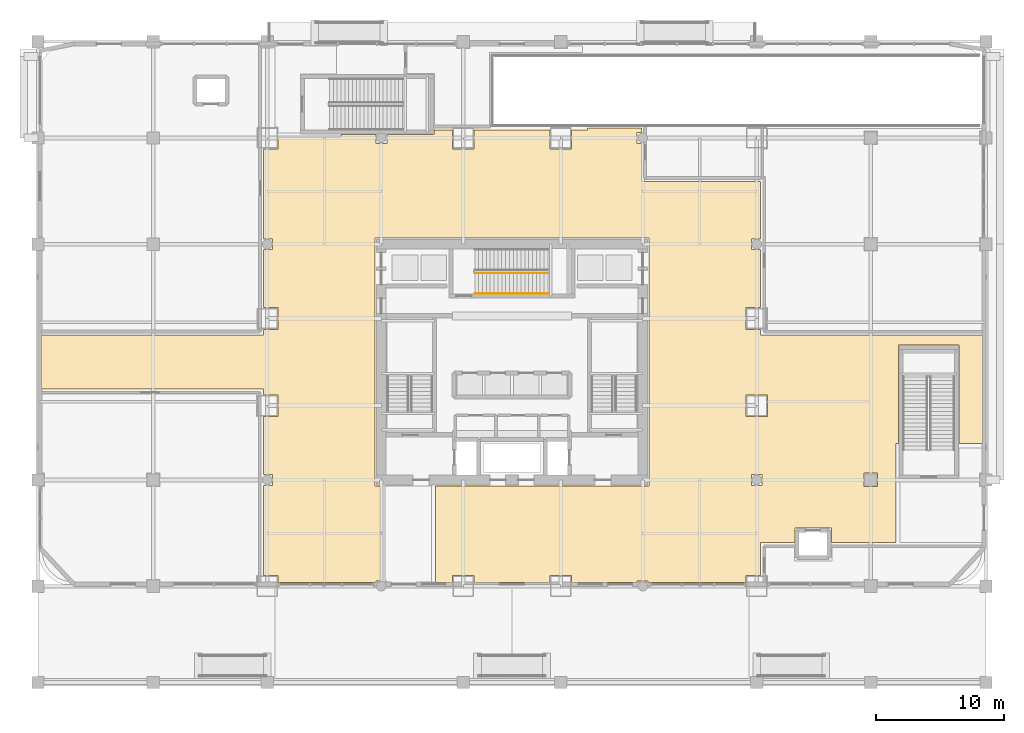
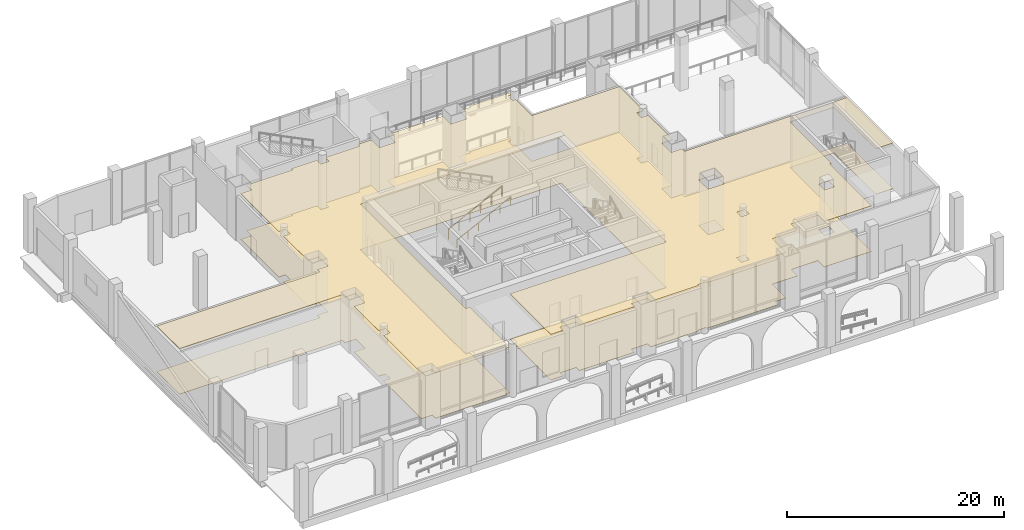
# One storey, part 28 of 32: 2 coverings, 2 railings.
"""IFC4 building model written with IfcOpenShell, lengths in metres."""

from ifc_helpers import new_model, si_unit, direction, frame, origin, origin_2d, place, context, subcontext, project, spatial, polyline, circle, outline, extrude, material, layer, layer_set, type_object, element, save


model = new_model("IFC4")

# Units and contexts
model_context = context("Model", 3, precision=1e-05, world=origin(), true_north=direction((0.0, 1.0)))
body_context = subcontext(model_context, "Body", "Model", "MODEL_VIEW")
ifc_project = project(units=[si_unit("LENGTHUNIT", "METRE"), si_unit("AREAUNIT", "SQUARE_METRE"), si_unit("VOLUMEUNIT", "CUBIC_METRE"), si_unit("PLANEANGLEUNIT", "RADIAN"), si_unit("MASSUNIT", "GRAM", prefix="KILO")], contexts=[model_context])

# Site, building, storey
site_placement = place(None, origin())
site = spatial("IfcSite", under=ifc_project, at=site_placement, CompositionType="ELEMENT")
building_placement = place(site_placement, origin())
building = spatial("IfcBuilding", under=site, at=building_placement, Name="Punatoya Terracotta Tower", CompositionType="ELEMENT")
storey_placement = place(building_placement, origin())
storey = spatial("IfcBuildingStorey", under=building, at=storey_placement, Name="L00", CompositionType="ELEMENT", Elevation=0.0)

# Coverings
ifc_material_1 = material(Name="Acoustic Mineral Fibre Ceiling")
ifc_layer_1 = layer(ifc_material_1, 0.06005859375)
ifc_layer_set_1 = layer_set([ifc_layer_1], Name="Acoustic Mineral Fibre Ceiling")
covering_type_1 = type_object("IfcCoveringType", Name="COV-CEIL-60", PredefinedType="CEILING", material=ifc_layer_set_1)
covering_1_placement = place(storey_placement, frame((0.0, 0.0, 5.110107421875)))
element("IfcCovering", 1, at=covering_1_placement, inside=storey, type_object=covering_type_1, Name="L00 Grand Waterfront Entrance Concourse Acoustic Ceiling", PredefinedType="CEILING", context=body_context, shape_type="SweptSolid", body=[
    extrude(outline(polyline([(-4.64990234375, -17.219970703125), (-4.64990234375, -16.64990234375), (-2.949951171875, -16.64990234375), (-2.949951171875, -17.219970703125), (2.949951171875, -17.219970703125), (2.949951171875, -16.64990234375), (4.64990234375, -16.64990234375), (4.64990234375, -17.219970703125), (9.77490234375, -17.219970703125), (9.77490234375, -17.074951171875), (10.625, -17.074951171875), (10.625, -17.219970703125), (18.25, -17.219970703125), (18.25, -16.64990234375), (19.39990234375, -16.64990234375), (19.39990234375, -14.10009765625), (22.080078125, -14.10009765625), (22.080078125, -12.929931640625), (24.919921875, -12.929931640625), (24.919921875, -14.10009765625), (29.9599609375, -14.10009765625), (29.9599609375, -6.360107421875), (30.179931640625, -6.360107421875), (30.179931640625, 1.320068359375), (34.8701171875, 1.320068359375), (34.8701171875, -6.360107421875), (36.719970703125, -6.360107421875), (36.719970703125, 2.10009765625), (19.39990234375, 2.10009765625), (19.39990234375, 2.550048828125), (18.25, 2.550048828125), (18.25, 4.25), (19.39990234375, 4.25), (19.39990234375, 8.77490234375), (18.675048828125, 8.77490234375), (18.675048828125, 9.625), (19.39990234375, 9.625), (19.39990234375, 14.10009765625), (10.10009765625, 14.10009765625), (10.10009765625, 17.074951171875), (9.77490234375, 17.074951171875), (9.77490234375, 17.925048828125), (10.10009765625, 17.925048828125), (10.10009765625, 18.280029296875), (5.89990234375, 18.280029296875), (5.89990234375, 18.10009765625), (4.64990234375, 18.10009765625), (4.64990234375, 16.64990234375), (2.949951171875, 16.64990234375), (2.949951171875, 18.10009765625), (-2.949951171875, 18.10009765625), (-2.949951171875, 16.64990234375), (-4.64990234375, 16.64990234375), (-4.64990234375, 18.10009765625), (-6.080078125, 18.10009765625), (-6.080078125, 17.780029296875), (-9.77490234375, 17.780029296875), (-9.77490234375, 17.074951171875), (-10.625, 17.074951171875), (-10.625, 17.780029296875), (-13.360107421875, 17.780029296875), (-13.360107421875, 17.56005859375), (-18.25, 17.56005859375), (-18.25, 16.64990234375), (-19.39990234375, 16.64990234375), (-19.39990234375, 9.625), (-18.675048828125, 9.625), (-18.675048828125, 8.77490234375), (-19.39990234375, 8.77490234375), (-19.39990234375, 4.25), (-18.25, 4.25), (-18.25, 2.550048828125), (-19.39990234375, 2.550048828125), (-19.39990234375, 2.10009765625), (-36.719970703125, 2.10009765625), (-36.719970703125, -2.10009765625), (-19.39990234375, -2.10009765625), (-19.39990234375, -2.550048828125), (-18.25, -2.550048828125), (-18.25, -4.25), (-19.39990234375, -4.25), (-19.39990234375, -8.77490234375), (-18.675048828125, -8.77490234375), (-18.675048828125, -9.625), (-19.39990234375, -9.625), (-19.39990234375, -16.64990234375), (-18.25, -16.64990234375), (-18.25, -17.219970703125), (-10.625, -17.219970703125), (-10.625, -17.074951171875), (-10.239990234375, -17.074951171875), (-10.239990234375, -9.679931640625), (-10.679931640625, -9.679931640625), (-10.679931640625, 9.679931640625), (10.679931640625, 9.679931640625), (10.679931640625, -9.679931640625), (-5.9599609375, -9.679931640625), (-5.9599609375, -17.219970703125), (-4.64990234375, -17.219970703125)]), holes=[polyline([(28.52490234375, -8.675048828125), (28.52490234375, -9.72509765625), (27.47509765625, -9.72509765625), (27.47509765625, -8.675048828125), (28.52490234375, -8.675048828125)]), polyline([(18.25, -4.25), (18.25, -2.550048828125), (19.949951171875, -2.550048828125), (19.949951171875, -4.25), (18.25, -4.25)]), polyline([(18.675048828125, -8.77490234375), (19.52490234375, -8.77490234375), (19.52490234375, -9.625), (18.675048828125, -9.625), (18.675048828125, -8.77490234375)])]), origin(), (0.0, 0.0, 1.0), 0.059814453125),
])
ifc_material_2 = material(Name="Sandstone & Raised Access Flooring", Category="masonry")
ifc_layer_2 = layer(ifc_material_2, 0.080078125)
ifc_layer_set_2 = layer_set([ifc_layer_2], Name="Sandstone & Raised Access Flooring")
covering_type_2 = type_object("IfcCoveringType", Name="COV-FLR-80", PredefinedType="FLOORING", material=ifc_layer_set_2)
covering_2_placement = place(storey_placement, origin())
element("IfcCovering", 2, at=covering_2_placement, inside=storey, type_object=covering_type_2, Name="L00 Grand Waterfront Entrance Concourse Stone Floor Finish", PredefinedType="FLOORING", context=body_context, shape_type="SweptSolid", body=[
    extrude(outline(polyline([(-4.64990234375, -17.219970703125), (-4.64990234375, -16.64990234375), (-2.949951171875, -16.64990234375), (-2.949951171875, -17.219970703125), (2.949951171875, -17.219970703125), (2.949951171875, -16.64990234375), (4.64990234375, -16.64990234375), (4.64990234375, -17.219970703125), (9.77490234375, -17.219970703125), (9.77490234375, -17.074951171875), (10.625, -17.074951171875), (10.625, -17.219970703125), (18.25, -17.219970703125), (18.25, -16.64990234375), (19.39990234375, -16.64990234375), (19.39990234375, -14.10009765625), (22.080078125, -14.10009765625), (22.080078125, -12.929931640625), (24.919921875, -12.929931640625), (24.919921875, -14.10009765625), (29.9599609375, -14.10009765625), (29.9599609375, -6.360107421875), (30.179931640625, -6.360107421875), (30.179931640625, 1.320068359375), (34.8701171875, 1.320068359375), (34.8701171875, -6.360107421875), (36.719970703125, -6.360107421875), (36.719970703125, 2.10009765625), (19.39990234375, 2.10009765625), (19.39990234375, 2.550048828125), (18.25, 2.550048828125), (18.25, 4.25), (19.39990234375, 4.25), (19.39990234375, 8.77490234375), (18.675048828125, 8.77490234375), (18.675048828125, 9.625), (19.39990234375, 9.625), (19.39990234375, 14.10009765625), (10.10009765625, 14.10009765625), (10.10009765625, 17.074951171875), (9.77490234375, 17.074951171875), (9.77490234375, 17.925048828125), (10.10009765625, 17.925048828125), (10.10009765625, 18.280029296875), (5.89990234375, 18.280029296875), (5.89990234375, 18.10009765625), (4.64990234375, 18.10009765625), (4.64990234375, 16.64990234375), (2.949951171875, 16.64990234375), (2.949951171875, 18.10009765625), (-2.949951171875, 18.10009765625), (-2.949951171875, 16.64990234375), (-4.64990234375, 16.64990234375), (-4.64990234375, 18.10009765625), (-6.080078125, 18.10009765625), (-6.080078125, 17.780029296875), (-9.77490234375, 17.780029296875), (-9.77490234375, 17.074951171875), (-10.625, 17.074951171875), (-10.625, 17.780029296875), (-13.360107421875, 17.780029296875), (-13.360107421875, 17.56005859375), (-18.25, 17.56005859375), (-18.25, 16.64990234375), (-19.39990234375, 16.64990234375), (-19.39990234375, 9.625), (-18.675048828125, 9.625), (-18.675048828125, 8.77490234375), (-19.39990234375, 8.77490234375), (-19.39990234375, 4.25), (-18.25, 4.25), (-18.25, 2.550048828125), (-19.39990234375, 2.550048828125), (-19.39990234375, 2.10009765625), (-36.719970703125, 2.10009765625), (-36.719970703125, -2.10009765625), (-19.39990234375, -2.10009765625), (-19.39990234375, -2.550048828125), (-18.25, -2.550048828125), (-18.25, -4.25), (-19.39990234375, -4.25), (-19.39990234375, -8.77490234375), (-18.675048828125, -8.77490234375), (-18.675048828125, -9.625), (-19.39990234375, -9.625), (-19.39990234375, -16.64990234375), (-18.25, -16.64990234375), (-18.25, -17.219970703125), (-10.625, -17.219970703125), (-10.625, -17.074951171875), (-10.239990234375, -17.074951171875), (-10.239990234375, -9.679931640625), (-10.679931640625, -9.679931640625), (-10.679931640625, 9.679931640625), (10.679931640625, 9.679931640625), (10.679931640625, -9.679931640625), (-5.9599609375, -9.679931640625), (-5.9599609375, -17.219970703125), (-4.64990234375, -17.219970703125)]), holes=[polyline([(28.52490234375, -8.675048828125), (28.52490234375, -9.72509765625), (27.47509765625, -9.72509765625), (27.47509765625, -8.675048828125), (28.52490234375, -8.675048828125)]), polyline([(18.25, -4.25), (18.25, -2.550048828125), (19.949951171875, -2.550048828125), (19.949951171875, -4.25), (18.25, -4.25)]), polyline([(18.675048828125, -8.77490234375), (19.52490234375, -8.77490234375), (19.52490234375, -9.625), (18.675048828125, -9.625), (18.675048828125, -8.77490234375)])]), origin(), (0.0, 0.0, 1.0), 0.0400390625),
])

# Railings
ifc_material_3 = material(Name="Steel S355", Category="steel")
railing_type_1 = type_object("IfcRailingType", Name="RLG-GRD-1150", PredefinedType="GUARDRAIL", material=ifc_material_3)
railing_1_placement = place(storey_placement, frame((-2.89990234375, 6.949951171875, 0.14990234375)))
element("IfcRailing", 3, at=railing_1_placement, inside=storey, type_object=railing_type_1, Name="L00 ST-3 stair guard 1", PredefinedType="GUARDRAIL", context=body_context, shape_type="SweptSolid", body=[
    extrude(circle(Radius=0.02392578125, at=origin_2d()), frame((0.0, 0.0, 1.1259765625), z_axis=(0.894419528903, 0.0, 0.447228919365), x_axis=(0.0, 1.0, 0.0)), (0.0, 0.0, 1.0), 6.372802734375),
    extrude(circle(Radius=0.02099609375, at=origin_2d()), origin(), (0.0, 0.0, 1.0), 1.101806640625),
    extrude(circle(Radius=0.02099609375, at=origin_2d()), frame((1.139892578125, 0.0, 0.570068359375)), (0.0, 0.0, 1.0), 1.101806640625),
    extrude(circle(Radius=0.02099609375, at=origin_2d()), frame((2.280029296875, 0.0, 1.14013671875)), (0.0, 0.0, 1.0), 1.101806640625),
    extrude(circle(Radius=0.02099609375, at=origin_2d()), frame((3.419921875, 0.0, 1.7099609375)), (0.0, 0.0, 1.0), 1.101806640625),
    extrude(circle(Radius=0.02099609375, at=origin_2d()), frame((4.56005859375, 0.0, 2.280029296875)), (0.0, 0.0, 1.0), 1.101806640625),
    extrude(circle(Radius=0.02099609375, at=origin_2d()), frame((5.699951171875, 0.0, 2.85009765625)), (0.0, 0.0, 1.0), 1.101806640625),
])
railing_type_2 = type_object("IfcRailingType", Name="RLG-HND-900", PredefinedType="HANDRAIL", material=ifc_material_3)
railing_2_placement = place(storey_placement, frame((-2.89990234375, 5.35009765625, 0.14990234375)))
element("IfcRailing", 4, at=railing_2_placement, inside=storey, type_object=railing_type_2, Name="L00 ST-3 stair handrail 1", PredefinedType="HANDRAIL", context=body_context, shape_type="SweptSolid", body=[
    extrude(circle(Radius=0.02392578125, at=origin_2d()), frame((0.0, 0.0, 0.8759765625), z_axis=(0.894419528903, 0.0, 0.447228919365), x_axis=(0.0, 1.0, 0.0)), (0.0, 0.0, 1.0), 6.372802734375),
    extrude(circle(Radius=0.02099609375, at=origin_2d()), origin(), (0.0, 0.0, 1.0), 0.851806640625),
    extrude(circle(Radius=0.02099609375, at=origin_2d()), frame((1.139892578125, 0.0, 0.570068359375)), (0.0, 0.0, 1.0), 0.851806640625),
    extrude(circle(Radius=0.02099609375, at=origin_2d()), frame((2.280029296875, 0.0, 1.14013671875)), (0.0, 0.0, 1.0), 0.851806640625),
    extrude(circle(Radius=0.02099609375, at=origin_2d()), frame((3.419921875, 0.0, 1.7099609375)), (0.0, 0.0, 1.0), 0.851806640625),
    extrude(circle(Radius=0.02099609375, at=origin_2d()), frame((4.56005859375, 0.0, 2.280029296875)), (0.0, 0.0, 1.0), 0.851806640625),
    extrude(circle(Radius=0.02099609375, at=origin_2d()), frame((5.699951171875, 0.0, 2.85009765625)), (0.0, 0.0, 1.0), 0.851806640625),
])

save(model, "model.ifc")
